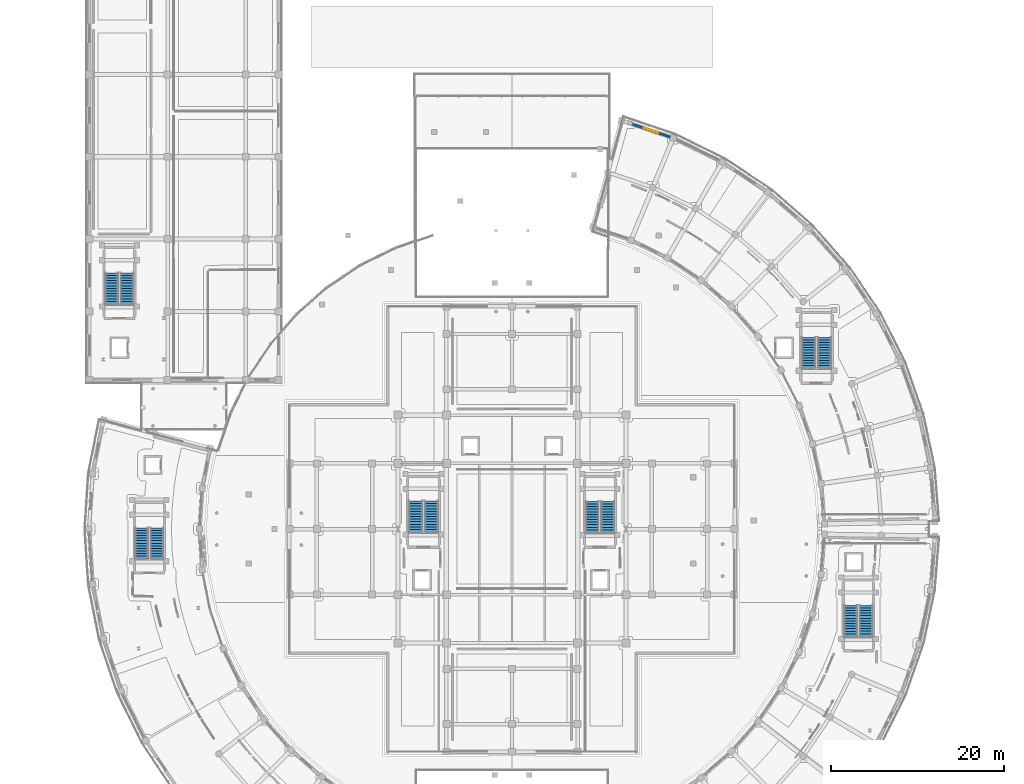
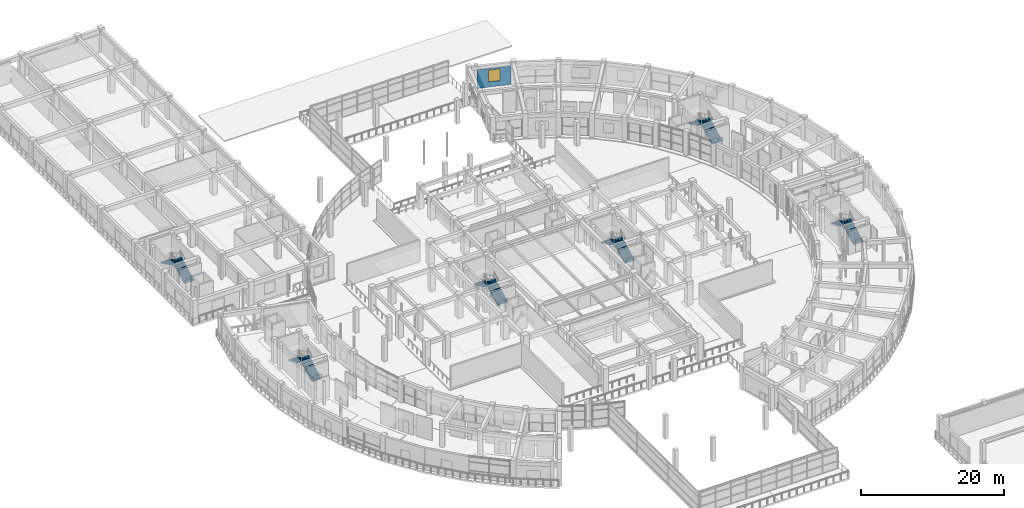
# One storey, part 66 of 87: 12 stair flights, 1 wall, 1 window, 1 opening, 6 elements without a shape of their own.
"""IFC4 building model written with IfcOpenShell, lengths in metres."""

from ifc_helpers import new_model, si_unit, direction, frame, frame_2d, origin, place, context, subcontext, project, spatial, polyline, rectangle, outline, extrude, material, layer, layer_set, type_object, element, fill, aggregate, save


model = new_model("IFC4")

# Units and contexts
model_context = context("Model", 3, precision=1e-05, world=origin(), true_north=direction((0.0, 1.0)))
body_context = subcontext(model_context, "Body", "Model", "MODEL_VIEW")
ifc_project = project(units=[si_unit("LENGTHUNIT", "METRE"), si_unit("AREAUNIT", "SQUARE_METRE"), si_unit("VOLUMEUNIT", "CUBIC_METRE"), si_unit("PLANEANGLEUNIT", "RADIAN"), si_unit("MASSUNIT", "GRAM", prefix="KILO")], contexts=[model_context])

# Site, building, storey
site_placement = place(None, origin())
site = spatial("IfcSite", under=ifc_project, at=site_placement, CompositionType="ELEMENT")
building_placement = place(site_placement, origin())
building = spatial("IfcBuilding", under=site, at=building_placement, Name="Saryqyr Civic Hall", CompositionType="ELEMENT")
storey_placement = place(building_placement, frame((0.0, 0.0, 5.10009765625)))
storey = spatial("IfcBuildingStorey", under=building, at=storey_placement, Name="L01", CompositionType="ELEMENT", Elevation=5.10009765625)

# Wall, opening, window
ifc_material_1 = material(Name="Precast concrete C40/50", Category="concrete")
ifc_layer = layer(ifc_material_1, 0.27001953125, Name="Precast concrete C40/50")
ifc_layer_set = layer_set([ifc_layer], Name="Precast concrete C40/50")
wall_type = type_object("IfcWallType", Name="ENV-WAL-EXT-270", PredefinedType="STANDARD", material=ifc_layer_set)
wall_placement = place(storey_placement, frame((70.820556640625, 130.945068359375, 0.0), z_axis=(0.0, 0.0, 1.0), x_axis=(0.94719564036, -0.320656231631, 0.0)))
wall = element("IfcWall", 1, at=wall_placement, inside=storey, type_object=wall_type, Name="Exterior wall V6-EWO-L01-09", PredefinedType="STANDARD", context=body_context, shape_type="SweptSolid", body=[
    extrude(rectangle(XDim=4.82568359375, YDim=0.27001953125, at=frame_2d((2.412841796875, 0.0))), origin(), (0.0, 0.0, 1.0), 3.14501953125),
])
opening_placement = place(wall_placement, frame((1.56298828125, 0.0, 0.85009765625)))
opening = element("IfcOpeningElement", 2, at=opening_placement, cuts=wall, Name="Opening W-32", PredefinedType="OPENING", context=body_context, shape_type="SweptSolid", body=[
    extrude(rectangle(XDim=1.699951171875, YDim=2.050048828125, at=frame_2d((0.85009765625, 1.02490234375))), frame((0.0, 0.14501953125, 0.0), z_axis=(0.0, -1.0, 0.0), x_axis=(1.0, 0.0, 0.0)), (0.0, 0.0, 1.0), 0.2900390625),
])
ifc_material_2 = material(Name="Anodised aluminium and triple low-E glass", Category="aluminium")
window_type = type_object("IfcWindowType", Name="ENV-WIN-W32", PartitioningType="SINGLE_PANEL", PredefinedType="WINDOW", material=ifc_material_2)
window_placement = place(opening_placement, origin())
window = element("IfcWindow", 3, at=window_placement, inside=storey, type_object=window_type, Name="Exterior ribbon window V6-L01-09", OverallHeight=2.050048828125, OverallWidth=1.699951171875, PartitioningType="SINGLE_PANEL", PredefinedType="WINDOW", context=body_context, shape_type="SweptSolid", body=[
    extrude(rectangle(XDim=1.699951171875, YDim=2.050048828125, at=frame_2d((0.85009765625, 1.02490234375))), frame((0.0, 0.030029296875, 0.0), z_axis=(0.0, -1.0, 0.0), x_axis=(1.0, 0.0, 0.0)), (0.0, 0.0, 1.0), 0.06005859375),
])
fill(opening, window)

# Stair, stair flights
ifc_material_3 = material(Name="Concrete C35/45", Category="concrete")
stair_type_1 = type_object("IfcStairType", Name="INT-STR-ST-1", PredefinedType="HALF_TURN_STAIR", material=ifc_material_3)
stair_1_placement = place(storey_placement, origin())
stair_1 = element("IfcStair", 4, at=stair_1_placement, inside=storey, type_object=stair_type_1, Name="L01 Protected Exit Stair ST-1", PredefinedType="HALF_TURN_STAIR")
stair_flight_type_1 = type_object("IfcStairFlightType", Name="INT-SFL-ST-1", PredefinedType="STRAIGHT", material=ifc_material_3)
stair_flight_1_placement = place(storey_placement, frame((47.675048828125, 83.64990234375, 0.0), z_axis=(0.0, 0.0, 1.0), x_axis=(0.0, 1.0, 0.0)))
stair_flight_1 = element("IfcStairFlight", 5, at=stair_flight_1_placement, type_object=stair_flight_type_1, Name="ST-1 flight 1", NumberOfRisers=13, NumberOfTreads=12, PredefinedType="STRAIGHT", RiserHeight=0.155769231, TreadLength=0.3, context=body_context, shape_type="SweptSolid", body=[
    extrude(outline(polyline([(0.0, 0.0), (0.0, 0.15576171875), (0.300048828125, 0.15576171875), (0.300048828125, 0.3115234375), (0.60009765625, 0.3115234375), (0.60009765625, 0.46728515625), (0.89990234375, 0.46728515625), (0.89990234375, 0.623046875), (1.199951171875, 0.623046875), (1.199951171875, 0.77880859375), (1.5, 0.77880859375), (1.5, 0.9345703125), (1.800048828125, 0.9345703125), (1.800048828125, 1.09033203125), (2.10009765625, 1.09033203125), (2.10009765625, 1.24609375), (2.39990234375, 1.24609375), (2.39990234375, 1.40185546875), (2.699951171875, 1.40185546875), (2.699951171875, 1.5576171875), (3.0, 1.5576171875), (3.0, 1.71337890625), (3.300048828125, 1.71337890625), (3.300048828125, 1.869140625), (3.60009765625, 1.869140625), (3.60009765625, 2.02490234375), (3.60009765625, 1.700439453125), (0.3251953125, 0.0), (0.0, 0.0)])), frame((0.0, 0.824951171875, 0.0), z_axis=(0.0, -1.0, 0.0), x_axis=(1.0, 0.0, 0.0)), (0.0, 0.0, 1.0), 1.64990234375),
])
stair_flight_2_placement = place(storey_placement, frame((45.824951171875, 87.25, 2.02490234375), z_axis=(0.0, 0.0, 1.0), x_axis=(0.0, -1.0, 0.0)))
stair_flight_2 = element("IfcStairFlight", 6, at=stair_flight_2_placement, type_object=stair_flight_type_1, Name="ST-1 flight 2", NumberOfRisers=13, NumberOfTreads=12, PredefinedType="STRAIGHT", RiserHeight=0.155769231, TreadLength=0.3, context=body_context, shape_type="SweptSolid", body=[
    extrude(outline(polyline([(0.0, 0.0), (0.0, 0.15576171875), (0.300048828125, 0.15576171875), (0.300048828125, 0.3115234375), (0.60009765625, 0.3115234375), (0.60009765625, 0.46728515625), (0.89990234375, 0.46728515625), (0.89990234375, 0.623046875), (1.199951171875, 0.623046875), (1.199951171875, 0.77880859375), (1.5, 0.77880859375), (1.5, 0.9345703125), (1.800048828125, 0.9345703125), (1.800048828125, 1.09033203125), (2.10009765625, 1.09033203125), (2.10009765625, 1.24609375), (2.39990234375, 1.24609375), (2.39990234375, 1.40185546875), (2.699951171875, 1.40185546875), (2.699951171875, 1.5576171875), (3.0, 1.5576171875), (3.0, 1.71337890625), (3.300048828125, 1.71337890625), (3.300048828125, 1.869140625), (3.60009765625, 1.869140625), (3.60009765625, 2.02490234375), (3.60009765625, 1.700439453125), (0.3251953125, 0.0), (0.0, 0.0)])), frame((0.0, 0.824951171875, 0.0), z_axis=(0.0, -1.0, 0.0), x_axis=(1.0, 0.0, 0.0)), (0.0, 0.0, 1.0), 1.64990234375),
])
aggregate(stair_1, [stair_flight_1, stair_flight_2])

stair_type_2 = type_object("IfcStairType", Name="INT-STR-ST-2", PredefinedType="HALF_TURN_STAIR", material=ifc_material_3)
stair_2_placement = place(storey_placement, origin())
stair_2 = element("IfcStair", 7, at=stair_2_placement, inside=storey, type_object=stair_type_2, Name="L01 Protected Exit Stair ST-2", PredefinedType="HALF_TURN_STAIR")
stair_flight_type_2 = type_object("IfcStairFlightType", Name="INT-SFL-ST-2", PredefinedType="STRAIGHT", material=ifc_material_3)
stair_flight_3_placement = place(storey_placement, frame((68.10009765625, 83.60009765625, 0.0), z_axis=(0.0, 0.0, 1.0), x_axis=(0.0, 1.0, 0.0)))
stair_flight_3 = element("IfcStairFlight", 8, at=stair_flight_3_placement, type_object=stair_flight_type_2, Name="ST-2 flight 1", NumberOfRisers=13, NumberOfTreads=12, PredefinedType="STRAIGHT", RiserHeight=0.155769231, TreadLength=0.3, context=body_context, shape_type="SweptSolid", body=[
    extrude(outline(polyline([(0.0, 0.0), (0.0, 0.15576171875), (0.300048828125, 0.15576171875), (0.300048828125, 0.3115234375), (0.60009765625, 0.3115234375), (0.60009765625, 0.46728515625), (0.89990234375, 0.46728515625), (0.89990234375, 0.623046875), (1.199951171875, 0.623046875), (1.199951171875, 0.77880859375), (1.5, 0.77880859375), (1.5, 0.9345703125), (1.800048828125, 0.9345703125), (1.800048828125, 1.09033203125), (2.10009765625, 1.09033203125), (2.10009765625, 1.24609375), (2.39990234375, 1.24609375), (2.39990234375, 1.40185546875), (2.699951171875, 1.40185546875), (2.699951171875, 1.5576171875), (3.0, 1.5576171875), (3.0, 1.71337890625), (3.300048828125, 1.71337890625), (3.300048828125, 1.869140625), (3.60009765625, 1.869140625), (3.60009765625, 2.02490234375), (3.60009765625, 1.700439453125), (0.3251953125, 0.0), (0.0, 0.0)])), frame((0.0, 0.800048828125, 0.0), z_axis=(0.0, -1.0, 0.0), x_axis=(1.0, 0.0, 0.0)), (0.0, 0.0, 1.0), 1.60009765625),
])
stair_flight_4_placement = place(storey_placement, frame((66.300048828125, 87.199951171875, 2.02490234375), z_axis=(0.0, 0.0, 1.0), x_axis=(0.0, -1.0, 0.0)))
stair_flight_4 = element("IfcStairFlight", 9, at=stair_flight_4_placement, type_object=stair_flight_type_2, Name="ST-2 flight 2", NumberOfRisers=13, NumberOfTreads=12, PredefinedType="STRAIGHT", RiserHeight=0.155769231, TreadLength=0.3, context=body_context, shape_type="SweptSolid", body=[
    extrude(outline(polyline([(0.0, 0.0), (0.0, 0.15576171875), (0.300048828125, 0.15576171875), (0.300048828125, 0.3115234375), (0.60009765625, 0.3115234375), (0.60009765625, 0.46728515625), (0.89990234375, 0.46728515625), (0.89990234375, 0.623046875), (1.199951171875, 0.623046875), (1.199951171875, 0.77880859375), (1.5, 0.77880859375), (1.5, 0.9345703125), (1.800048828125, 0.9345703125), (1.800048828125, 1.09033203125), (2.10009765625, 1.09033203125), (2.10009765625, 1.24609375), (2.39990234375, 1.24609375), (2.39990234375, 1.40185546875), (2.699951171875, 1.40185546875), (2.699951171875, 1.5576171875), (3.0, 1.5576171875), (3.0, 1.71337890625), (3.300048828125, 1.71337890625), (3.300048828125, 1.869140625), (3.60009765625, 1.869140625), (3.60009765625, 2.02490234375), (3.60009765625, 1.700439453125), (0.3251953125, 0.0), (0.0, 0.0)])), frame((0.0, 0.800048828125, 0.0), z_axis=(0.0, -1.0, 0.0), x_axis=(1.0, 0.0, 0.0)), (0.0, 0.0, 1.0), 1.60009765625),
])
aggregate(stair_2, [stair_flight_3, stair_flight_4])

stair_type_3 = type_object("IfcStairType", Name="INT-STR-ST-3", PredefinedType="HALF_TURN_STAIR", material=ifc_material_3)
stair_3_placement = place(storey_placement, origin())
stair_3 = element("IfcStair", 10, at=stair_3_placement, inside=storey, type_object=stair_type_3, Name="L01 Protected Exit Stair ST-3", PredefinedType="HALF_TURN_STAIR")
stair_flight_type_3 = type_object("IfcStairFlightType", Name="INT-SFL-ST-3", PredefinedType="STRAIGHT", material=ifc_material_3)
stair_flight_5_placement = place(storey_placement, frame((12.409912109375, 110.080078125, 0.0), z_axis=(0.0, 0.0, 1.0), x_axis=(0.0, 1.0, 0.0)))
stair_flight_5 = element("IfcStairFlight", 11, at=stair_flight_5_placement, type_object=stair_flight_type_3, Name="ST-3 flight 1", NumberOfRisers=13, NumberOfTreads=12, PredefinedType="STRAIGHT", RiserHeight=0.155769231, TreadLength=0.3, context=body_context, shape_type="SweptSolid", body=[
    extrude(outline(polyline([(0.0, 0.0), (0.0, 0.15576171875), (0.300048828125, 0.15576171875), (0.300048828125, 0.3115234375), (0.60009765625, 0.3115234375), (0.60009765625, 0.46728515625), (0.89990234375, 0.46728515625), (0.89990234375, 0.623046875), (1.199951171875, 0.623046875), (1.199951171875, 0.77880859375), (1.5, 0.77880859375), (1.5, 0.9345703125), (1.800048828125, 0.9345703125), (1.800048828125, 1.09033203125), (2.10009765625, 1.09033203125), (2.10009765625, 1.24609375), (2.39990234375, 1.24609375), (2.39990234375, 1.40185546875), (2.699951171875, 1.40185546875), (2.699951171875, 1.5576171875), (3.0, 1.5576171875), (3.0, 1.71337890625), (3.300048828125, 1.71337890625), (3.300048828125, 1.869140625), (3.60009765625, 1.869140625), (3.60009765625, 2.02490234375), (3.60009765625, 1.700439453125), (0.3251953125, 0.0), (0.0, 0.0)])), frame((0.0, 0.7900390625, 0.0), z_axis=(0.0, -1.0, 0.0), x_axis=(1.0, 0.0, 0.0)), (0.0, 0.0, 1.0), 1.580078125),
])
stair_flight_6_placement = place(storey_placement, frame((10.6298828125, 113.679931640625, 2.02490234375), z_axis=(0.0, 0.0, 1.0), x_axis=(0.0, -1.0, 0.0)))
stair_flight_6 = element("IfcStairFlight", 12, at=stair_flight_6_placement, type_object=stair_flight_type_3, Name="ST-3 flight 2", NumberOfRisers=13, NumberOfTreads=12, PredefinedType="STRAIGHT", RiserHeight=0.155769231, TreadLength=0.3, context=body_context, shape_type="SweptSolid", body=[
    extrude(outline(polyline([(0.0, 0.0), (0.0, 0.15576171875), (0.300048828125, 0.15576171875), (0.300048828125, 0.3115234375), (0.60009765625, 0.3115234375), (0.60009765625, 0.46728515625), (0.89990234375, 0.46728515625), (0.89990234375, 0.623046875), (1.199951171875, 0.623046875), (1.199951171875, 0.77880859375), (1.5, 0.77880859375), (1.5, 0.9345703125), (1.800048828125, 0.9345703125), (1.800048828125, 1.09033203125), (2.10009765625, 1.09033203125), (2.10009765625, 1.24609375), (2.39990234375, 1.24609375), (2.39990234375, 1.40185546875), (2.699951171875, 1.40185546875), (2.699951171875, 1.5576171875), (3.0, 1.5576171875), (3.0, 1.71337890625), (3.300048828125, 1.71337890625), (3.300048828125, 1.869140625), (3.60009765625, 1.869140625), (3.60009765625, 2.02490234375), (3.60009765625, 1.700439453125), (0.3251953125, 0.0), (0.0, 0.0)])), frame((0.0, 0.7900390625, 0.0), z_axis=(0.0, -1.0, 0.0), x_axis=(1.0, 0.0, 0.0)), (0.0, 0.0, 1.0), 1.580078125),
])
aggregate(stair_3, [stair_flight_5, stair_flight_6])

stair_type_4 = type_object("IfcStairType", Name="INT-STR-ST-4", PredefinedType="HALF_TURN_STAIR", material=ifc_material_3)
stair_4_placement = place(storey_placement, origin())
stair_4 = element("IfcStair", 13, at=stair_4_placement, inside=storey, type_object=stair_type_4, Name="L01 Protected Exit Stair ST-4", PredefinedType="HALF_TURN_STAIR")
stair_flight_type_4 = type_object("IfcStairFlightType", Name="INT-SFL-ST-4", PredefinedType="STRAIGHT", material=ifc_material_3)
stair_flight_7_placement = place(storey_placement, frame((15.875, 80.550048828125, 0.0), z_axis=(0.0, 0.0, 1.0), x_axis=(0.0, 1.0, 0.0)))
stair_flight_7 = element("IfcStairFlight", 14, at=stair_flight_7_placement, type_object=stair_flight_type_4, Name="ST-4 flight 1", NumberOfRisers=13, NumberOfTreads=12, PredefinedType="STRAIGHT", RiserHeight=0.155769231, TreadLength=0.3, context=body_context, shape_type="SweptSolid", body=[
    extrude(outline(polyline([(0.0, 0.0), (0.0, 0.15576171875), (0.300048828125, 0.15576171875), (0.300048828125, 0.3115234375), (0.60009765625, 0.3115234375), (0.60009765625, 0.46728515625), (0.89990234375, 0.46728515625), (0.89990234375, 0.623046875), (1.199951171875, 0.623046875), (1.199951171875, 0.77880859375), (1.5, 0.77880859375), (1.5, 0.9345703125), (1.800048828125, 0.9345703125), (1.800048828125, 1.09033203125), (2.10009765625, 1.09033203125), (2.10009765625, 1.24609375), (2.39990234375, 1.24609375), (2.39990234375, 1.40185546875), (2.699951171875, 1.40185546875), (2.699951171875, 1.5576171875), (3.0, 1.5576171875), (3.0, 1.71337890625), (3.300048828125, 1.71337890625), (3.300048828125, 1.869140625), (3.60009765625, 1.869140625), (3.60009765625, 2.02490234375), (3.60009765625, 1.700439453125), (0.3251953125, 0.0), (0.0, 0.0)])), frame((0.0, 0.77490234375, 0.0), z_axis=(0.0, -1.0, 0.0), x_axis=(1.0, 0.0, 0.0)), (0.0, 0.0, 1.0), 1.550048828125),
])
stair_flight_8_placement = place(storey_placement, frame((14.125, 84.14990234375, 2.02490234375), z_axis=(0.0, 0.0, 1.0), x_axis=(0.0, -1.0, 0.0)))
stair_flight_8 = element("IfcStairFlight", 15, at=stair_flight_8_placement, type_object=stair_flight_type_4, Name="ST-4 flight 2", NumberOfRisers=13, NumberOfTreads=12, PredefinedType="STRAIGHT", RiserHeight=0.155769231, TreadLength=0.3, context=body_context, shape_type="SweptSolid", body=[
    extrude(outline(polyline([(0.0, 0.0), (0.0, 0.15576171875), (0.300048828125, 0.15576171875), (0.300048828125, 0.3115234375), (0.60009765625, 0.3115234375), (0.60009765625, 0.46728515625), (0.89990234375, 0.46728515625), (0.89990234375, 0.623046875), (1.199951171875, 0.623046875), (1.199951171875, 0.77880859375), (1.5, 0.77880859375), (1.5, 0.9345703125), (1.800048828125, 0.9345703125), (1.800048828125, 1.09033203125), (2.10009765625, 1.09033203125), (2.10009765625, 1.24609375), (2.39990234375, 1.24609375), (2.39990234375, 1.40185546875), (2.699951171875, 1.40185546875), (2.699951171875, 1.5576171875), (3.0, 1.5576171875), (3.0, 1.71337890625), (3.300048828125, 1.71337890625), (3.300048828125, 1.869140625), (3.60009765625, 1.869140625), (3.60009765625, 2.02490234375), (3.60009765625, 1.700439453125), (0.3251953125, 0.0), (0.0, 0.0)])), frame((0.0, 0.77490234375, 0.0), z_axis=(0.0, -1.0, 0.0), x_axis=(1.0, 0.0, 0.0)), (0.0, 0.0, 1.0), 1.550048828125),
])
aggregate(stair_4, [stair_flight_7, stair_flight_8])

stair_type_5 = type_object("IfcStairType", Name="INT-STR-ST-5", PredefinedType="HALF_TURN_STAIR", material=ifc_material_3)
stair_5_placement = place(storey_placement, origin())
stair_5 = element("IfcStair", 16, at=stair_5_placement, inside=storey, type_object=stair_type_5, Name="L01 Protected Exit Stair ST-5", PredefinedType="HALF_TURN_STAIR")
stair_flight_type_5 = type_object("IfcStairFlightType", Name="INT-SFL-ST-5", PredefinedType="STRAIGHT", material=ifc_material_3)
stair_flight_9_placement = place(storey_placement, frame((98.02001953125, 71.56005859375, 0.0), z_axis=(0.0, 0.0, 1.0), x_axis=(0.0, 1.0, 0.0)))
stair_flight_9 = element("IfcStairFlight", 17, at=stair_flight_9_placement, type_object=stair_flight_type_5, Name="ST-5 flight 1", NumberOfRisers=13, NumberOfTreads=12, PredefinedType="STRAIGHT", RiserHeight=0.155769231, TreadLength=0.3, context=body_context, shape_type="SweptSolid", body=[
    extrude(outline(polyline([(0.0, 0.0), (0.0, 0.15576171875), (0.300048828125, 0.15576171875), (0.300048828125, 0.3115234375), (0.60009765625, 0.3115234375), (0.60009765625, 0.46728515625), (0.89990234375, 0.46728515625), (0.89990234375, 0.623046875), (1.199951171875, 0.623046875), (1.199951171875, 0.77880859375), (1.5, 0.77880859375), (1.5, 0.9345703125), (1.800048828125, 0.9345703125), (1.800048828125, 1.09033203125), (2.10009765625, 1.09033203125), (2.10009765625, 1.24609375), (2.39990234375, 1.24609375), (2.39990234375, 1.40185546875), (2.699951171875, 1.40185546875), (2.699951171875, 1.5576171875), (3.0, 1.5576171875), (3.0, 1.71337890625), (3.300048828125, 1.71337890625), (3.300048828125, 1.869140625), (3.60009765625, 1.869140625), (3.60009765625, 2.02490234375), (3.60009765625, 1.700439453125), (0.3251953125, 0.0), (0.0, 0.0)])), frame((0.0, 0.780029296875, 0.0), z_axis=(0.0, -1.0, 0.0), x_axis=(1.0, 0.0, 0.0)), (0.0, 0.0, 1.0), 1.56005859375),
])
stair_flight_10_placement = place(storey_placement, frame((96.260009765625, 75.159912109375, 2.02490234375), z_axis=(0.0, 0.0, 1.0), x_axis=(0.0, -1.0, 0.0)))
stair_flight_10 = element("IfcStairFlight", 18, at=stair_flight_10_placement, type_object=stair_flight_type_5, Name="ST-5 flight 2", NumberOfRisers=13, NumberOfTreads=12, PredefinedType="STRAIGHT", RiserHeight=0.155769231, TreadLength=0.3, context=body_context, shape_type="SweptSolid", body=[
    extrude(outline(polyline([(0.0, 0.0), (0.0, 0.15576171875), (0.300048828125, 0.15576171875), (0.300048828125, 0.3115234375), (0.60009765625, 0.3115234375), (0.60009765625, 0.46728515625), (0.89990234375, 0.46728515625), (0.89990234375, 0.623046875), (1.199951171875, 0.623046875), (1.199951171875, 0.77880859375), (1.5, 0.77880859375), (1.5, 0.9345703125), (1.800048828125, 0.9345703125), (1.800048828125, 1.09033203125), (2.10009765625, 1.09033203125), (2.10009765625, 1.24609375), (2.39990234375, 1.24609375), (2.39990234375, 1.40185546875), (2.699951171875, 1.40185546875), (2.699951171875, 1.5576171875), (3.0, 1.5576171875), (3.0, 1.71337890625), (3.300048828125, 1.71337890625), (3.300048828125, 1.869140625), (3.60009765625, 1.869140625), (3.60009765625, 2.02490234375), (3.60009765625, 1.700439453125), (0.3251953125, 0.0), (0.0, 0.0)])), frame((0.0, 0.780029296875, 0.0), z_axis=(0.0, -1.0, 0.0), x_axis=(1.0, 0.0, 0.0)), (0.0, 0.0, 1.0), 1.56005859375),
])
aggregate(stair_5, [stair_flight_9, stair_flight_10])

stair_type_6 = type_object("IfcStairType", Name="INT-STR-ST-6", PredefinedType="HALF_TURN_STAIR", material=ifc_material_3)
stair_6_placement = place(storey_placement, origin())
stair_6 = element("IfcStair", 19, at=stair_6_placement, inside=storey, type_object=stair_type_6, Name="L01 Protected Exit Stair ST-6", PredefinedType="HALF_TURN_STAIR")
stair_flight_type_6 = type_object("IfcStairFlightType", Name="INT-SFL-ST-6", PredefinedType="STRAIGHT", material=ifc_material_3)
stair_flight_11_placement = place(storey_placement, frame((93.18994140625, 102.6201171875, 0.0), z_axis=(0.0, 0.0, 1.0), x_axis=(0.0, 1.0, 0.0)))
stair_flight_11 = element("IfcStairFlight", 20, at=stair_flight_11_placement, type_object=stair_flight_type_6, Name="ST-6 flight 1", NumberOfRisers=13, NumberOfTreads=12, PredefinedType="STRAIGHT", RiserHeight=0.155769231, TreadLength=0.3, context=body_context, shape_type="SweptSolid", body=[
    extrude(outline(polyline([(0.0, 0.0), (0.0, 0.15576171875), (0.300048828125, 0.15576171875), (0.300048828125, 0.3115234375), (0.60009765625, 0.3115234375), (0.60009765625, 0.46728515625), (0.89990234375, 0.46728515625), (0.89990234375, 0.623046875), (1.199951171875, 0.623046875), (1.199951171875, 0.77880859375), (1.5, 0.77880859375), (1.5, 0.9345703125), (1.800048828125, 0.9345703125), (1.800048828125, 1.09033203125), (2.10009765625, 1.09033203125), (2.10009765625, 1.24609375), (2.39990234375, 1.24609375), (2.39990234375, 1.40185546875), (2.699951171875, 1.40185546875), (2.699951171875, 1.5576171875), (3.0, 1.5576171875), (3.0, 1.71337890625), (3.300048828125, 1.71337890625), (3.300048828125, 1.869140625), (3.60009765625, 1.869140625), (3.60009765625, 2.02490234375), (3.60009765625, 1.700439453125), (0.3251953125, 0.0), (0.0, 0.0)])), frame((0.0, 0.81005859375, 0.0), z_axis=(0.0, -1.0, 0.0), x_axis=(1.0, 0.0, 0.0)), (0.0, 0.0, 1.0), 1.6201171875),
])
stair_flight_12_placement = place(storey_placement, frame((91.3701171875, 106.219970703125, 2.02490234375), z_axis=(0.0, 0.0, 1.0), x_axis=(0.0, -1.0, 0.0)))
stair_flight_12 = element("IfcStairFlight", 21, at=stair_flight_12_placement, type_object=stair_flight_type_6, Name="ST-6 flight 2", NumberOfRisers=13, NumberOfTreads=12, PredefinedType="STRAIGHT", RiserHeight=0.155769231, TreadLength=0.3, context=body_context, shape_type="SweptSolid", body=[
    extrude(outline(polyline([(0.0, 0.0), (0.0, 0.15576171875), (0.300048828125, 0.15576171875), (0.300048828125, 0.3115234375), (0.60009765625, 0.3115234375), (0.60009765625, 0.46728515625), (0.89990234375, 0.46728515625), (0.89990234375, 0.623046875), (1.199951171875, 0.623046875), (1.199951171875, 0.77880859375), (1.5, 0.77880859375), (1.5, 0.9345703125), (1.800048828125, 0.9345703125), (1.800048828125, 1.09033203125), (2.10009765625, 1.09033203125), (2.10009765625, 1.24609375), (2.39990234375, 1.24609375), (2.39990234375, 1.40185546875), (2.699951171875, 1.40185546875), (2.699951171875, 1.5576171875), (3.0, 1.5576171875), (3.0, 1.71337890625), (3.300048828125, 1.71337890625), (3.300048828125, 1.869140625), (3.60009765625, 1.869140625), (3.60009765625, 2.02490234375), (3.60009765625, 1.700439453125), (0.3251953125, 0.0), (0.0, 0.0)])), frame((0.0, 0.81005859375, 0.0), z_axis=(0.0, -1.0, 0.0), x_axis=(1.0, 0.0, 0.0)), (0.0, 0.0, 1.0), 1.6201171875),
])
aggregate(stair_6, [stair_flight_11, stair_flight_12])

save(model, "model.ifc")
